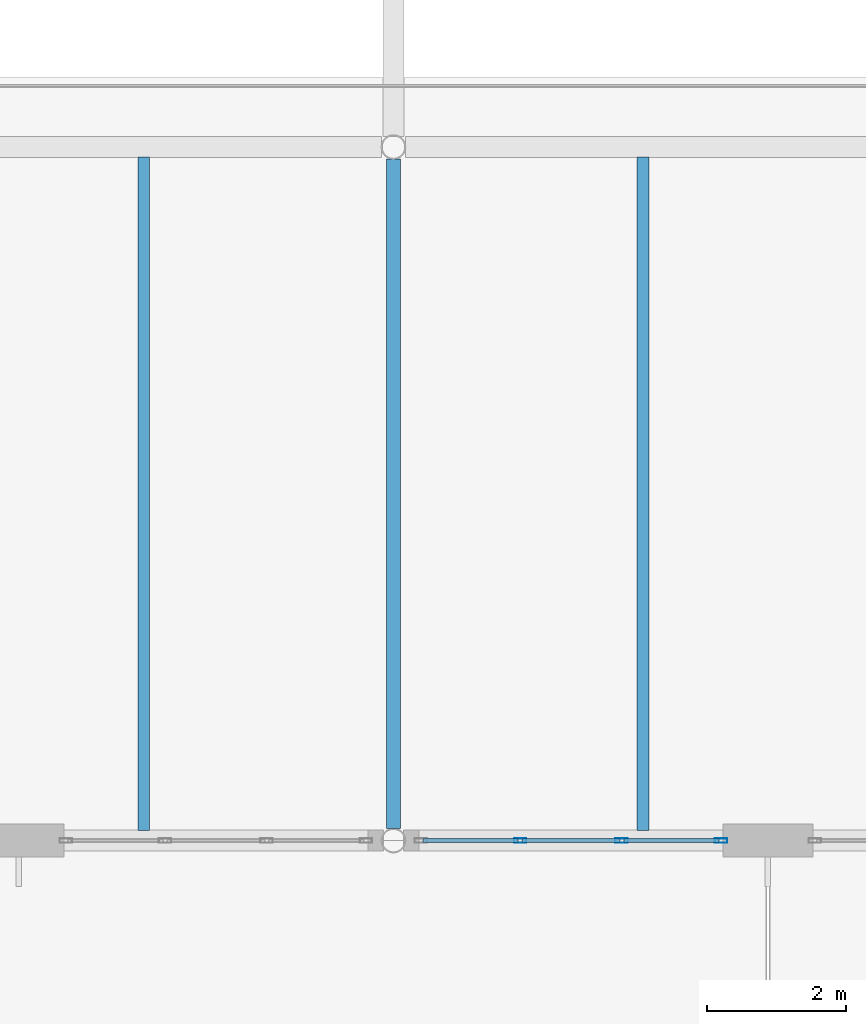
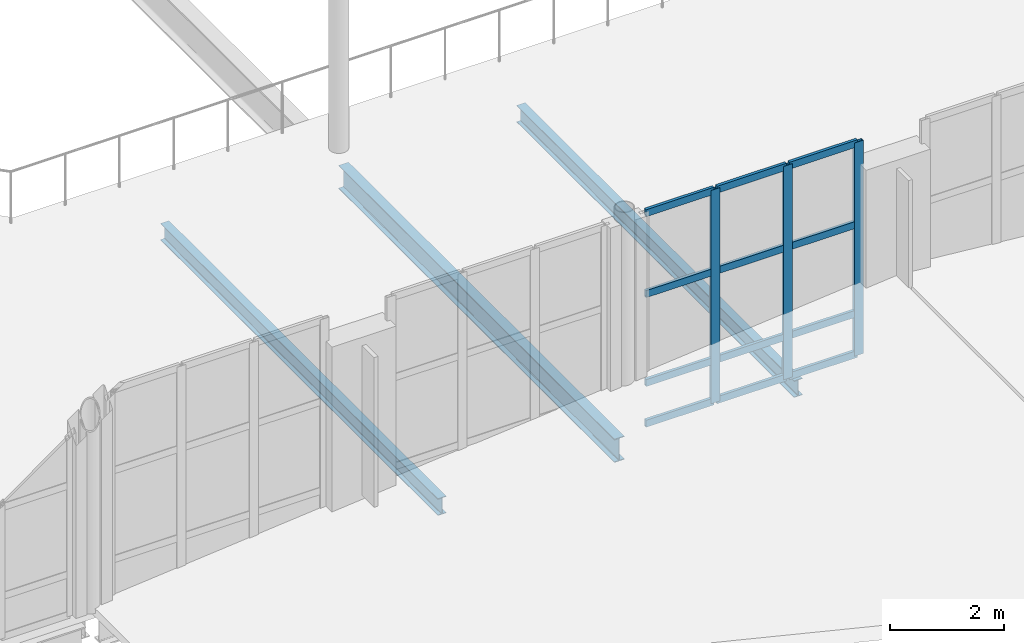
# One storey, part 32 of 92: 15 members, 3 beams, 1 element without a shape of its own.
"""IFC4 building model written with IfcOpenShell, lengths in metres."""

from ifc_helpers import new_model, si_unit, direction, frame, origin, origin_2d, place, context, subcontext, project, spatial, hollow_rectangle, i_section, extrude, material, layer, layer_set, material_profile, profile_set, type_object, element, aggregate, save


model = new_model("IFC4")

# Units and contexts
model_context = context("Model", 3, precision=1e-05, world=origin(), true_north=direction((0.0, 1.0)))
body_context = subcontext(model_context, "Body", "Model", "MODEL_VIEW")
ifc_project = project(units=[si_unit("LENGTHUNIT", "METRE"), si_unit("AREAUNIT", "SQUARE_METRE"), si_unit("VOLUMEUNIT", "CUBIC_METRE"), si_unit("PLANEANGLEUNIT", "RADIAN"), si_unit("MASSUNIT", "GRAM", prefix="KILO")], contexts=[model_context])

# Site, building, storey
site_placement = place(None, origin())
site = spatial("IfcSite", under=ifc_project, at=site_placement, CompositionType="ELEMENT")
building_placement = place(site_placement, origin())
building = spatial("IfcBuilding", under=site, at=building_placement, Name="Tasgan Crest Museum", CompositionType="ELEMENT")
storey_placement = place(building_placement, frame((0.0, 0.0, 4.800048828125)))
storey = spatial("IfcBuildingStorey", under=building, at=storey_placement, Name="L01", CompositionType="ELEMENT", Elevation=4.800048828125)

# Beams
ifc_material_1 = material(Name="Steel S355J2", Category="steel")
ifc_material_profile_1 = material_profile(ifc_material_1, i_section(OverallWidth=0.199951171875, OverallDepth=0.5, WebThickness=0.01025390625, FlangeThickness=0.01611328125, FilletRadius=0.02099609375, at=origin_2d()), Name="IPE 500")
ifc_profile_set_1 = profile_set([ifc_material_profile_1], Name="Steel S355J2")
beam_type_1 = type_object("IfcBeamType", Name="BM-G-IPE500", PredefinedType="BEAM", material=ifc_profile_set_1)
beam_placement = place(storey_placement, frame((75.60009765625, 40.1728515625, -0.489990234375), z_axis=(0.0, 1.0, 0.0), x_axis=(-1.0, 0.0, 0.0)))
element("IfcBeam", 1, at=beam_placement, inside=storey, type_object=beam_type_1, Name="Beam L01 8 40.0-50.0", PredefinedType="BEAM", context=body_context, shape_type="SweptSolid", body=[
    extrude(i_section(OverallWidth=0.199951171875, OverallDepth=0.5, WebThickness=0.01025390625, FlangeThickness=0.01611328125, FilletRadius=0.02099609375, at=origin_2d()), origin(), (0.0, 0.0, 1.0), 9.654296875),
])
ifc_material_2 = material(Name="Steel S355J2", Category="steel")
ifc_material_profile_2 = material_profile(ifc_material_2, i_section(OverallWidth=0.169921875, OverallDepth=0.360107421875, WebThickness=0.008056640625, FlangeThickness=0.0126953125, FilletRadius=0.01806640625, at=origin_2d()), Name="IPE 360")
ifc_profile_set_2 = profile_set([ifc_material_profile_2], Name="Steel S355J2")
beam_type_2 = type_object("IfcBeamType", Name="BM-J-IPE360", PredefinedType="JOIST", material=ifc_profile_set_2)
for number, where, z_axis, x_axis, name in (
    (2, (72.0, 40.14501953125, -0.420166015625), (0.0, 1.0, 0.0), (-1.0, 0.0, 0.0), "Secondary joist L01 X=72.0 Y=40.0-50.0"),
    (3, (79.199951171875, 40.14501953125, -0.420166015625), (0.0, 1.0, 0.0), (-1.0, 0.0, 0.0), "Secondary joist L01 X=79.2 Y=40.0-50.0"),
):
    element("IfcBeam", number, at=place(storey_placement, frame(where, z_axis=z_axis, x_axis=x_axis)), inside=storey, type_object=beam_type_2, Name=name, PredefinedType="JOIST", context=body_context, shape_type="SweptSolid", body=[
        extrude(i_section(OverallWidth=0.169921875, OverallDepth=0.360107421875, WebThickness=0.008056640625, FlangeThickness=0.0126953125, FilletRadius=0.01806640625, at=origin_2d()), origin(), (0.0, 0.0, 1.0), 9.7099609375),
    ])

# Curtain wall, members
ifc_material_3 = material(Name="Triple-Glazed Aluminium Curtain Wall", Category="aluminium")
ifc_layer = layer(ifc_material_3, 0.179931640625, Name="CW-DRUM-X-48")
ifc_layer_set = layer_set([ifc_layer], Name="Triple-Glazed Aluminium Curtain Wall")
curtain_wall_type = type_object("IfcCurtainWallType", Name="CW-DRUM-X-48", PredefinedType="NOTDEFINED", material=ifc_layer_set)
curtain_wall_placement = place(storey_placement, origin())
curtain_wall = element("IfcCurtainWall", 4, at=curtain_wall_placement, inside=storey, type_object=curtain_wall_type, Name="Curtain wall L01 031", PredefinedType="NOTDEFINED")
ifc_material_4 = material(Name="Anodised Aluminium", Category="aluminium")
ifc_material_profile_3 = material_profile(ifc_material_4, hollow_rectangle(XDim=0.06494140625, YDim=0.179931640625, WallThickness=0.0048828125, at=origin_2d()), Name="ALU MULLION 180x65x5")
ifc_profile_set_3 = profile_set([ifc_material_profile_3], Name="Anodised Aluminium")
member_type_1 = type_object("IfcMemberType", Name="CW-MULLION-180", PredefinedType="MULLION", material=ifc_profile_set_3)
member_1_placement = place(storey_placement, frame((77.42822265625, 40.0, 0.0), z_axis=(0.0, 0.0, 1.0), x_axis=(0.0, 1.0, 0.0)))
member_1 = element("IfcMember", 5, at=member_1_placement, type_object=member_type_1, Name="CW03 mullion 2", PredefinedType="MULLION", context=body_context, shape_type="SweptSolid", body=[
    extrude(hollow_rectangle(XDim=0.06494140625, YDim=0.179931640625, WallThickness=0.0048828125, at=origin_2d()), origin(), (0.0, 0.0, 1.0), 4.56005859375),
])
member_2_placement = place(storey_placement, frame((78.8916015625, 40.0, 0.0), z_axis=(0.0, 0.0, 1.0), x_axis=(0.0, 1.0, 0.0)))
member_2 = element("IfcMember", 6, at=member_2_placement, type_object=member_type_1, Name="CW03 mullion 3", PredefinedType="MULLION", context=body_context, shape_type="SweptSolid", body=[
    extrude(hollow_rectangle(XDim=0.06494140625, YDim=0.179931640625, WallThickness=0.0048828125, at=origin_2d()), origin(), (0.0, 0.0, 1.0), 4.56005859375),
])
member_3_placement = place(storey_placement, frame((80.324951171875, 40.0, 0.0), z_axis=(0.0, 0.0, 1.0), x_axis=(0.0, 1.0, 0.0)))
member_3 = element("IfcMember", 7, at=member_3_placement, type_object=member_type_1, Name="CW03 mullion 4", PredefinedType="MULLION", context=body_context, shape_type="SweptSolid", body=[
    extrude(hollow_rectangle(XDim=0.06494140625, YDim=0.179931640625, WallThickness=0.0048828125, at=origin_2d()), origin(), (0.0, 0.0, 1.0), 4.56005859375),
])
ifc_material_5 = material(Name="Anodised Aluminium", Category="aluminium")
ifc_material_profile_4 = material_profile(ifc_material_5, hollow_rectangle(XDim=0.06005859375, YDim=0.14990234375, WallThickness=0.0048828125, at=origin_2d()), Name="ALU TRANSOM 150x60x5")
ifc_profile_set_4 = profile_set([ifc_material_profile_4], Name="Anodised Aluminium")
member_type_2 = type_object("IfcMemberType", Name="CW-TRANSOM-150", PredefinedType="USERDEFINED", material=ifc_profile_set_4)
member_4_placement = place(storey_placement, frame((76.02490234375, 40.0, 0.030029296875), z_axis=(1.0, 0.0, 0.0), x_axis=(0.0, 1.0, 0.0)))
member_4 = element("IfcMember", 8, at=member_4_placement, type_object=member_type_2, Name="CW03 transom 1.1", ObjectType="TRANSOM", PredefinedType="USERDEFINED", context=body_context, shape_type="SweptSolid", body=[
    extrude(hollow_rectangle(XDim=0.06005859375, YDim=0.14990234375, WallThickness=0.0048828125, at=origin_2d()), origin(), (0.0, 0.0, 1.0), 1.37353515625),
])
member_5_placement = place(storey_placement, frame((76.02490234375, 40.0, 0.89990234375), z_axis=(1.0, 0.0, 0.0), x_axis=(0.0, 1.0, 0.0)))
member_5 = element("IfcMember", 9, at=member_5_placement, type_object=member_type_2, Name="CW03 transom 1.2", ObjectType="TRANSOM", PredefinedType="USERDEFINED", context=body_context, shape_type="SweptSolid", body=[
    extrude(hollow_rectangle(XDim=0.06005859375, YDim=0.14990234375, WallThickness=0.0048828125, at=origin_2d()), origin(), (0.0, 0.0, 1.0), 1.37353515625),
])
member_6_placement = place(storey_placement, frame((76.02490234375, 40.0, 2.800048828125), z_axis=(1.0, 0.0, 0.0), x_axis=(0.0, 1.0, 0.0)))
member_6 = element("IfcMember", 10, at=member_6_placement, type_object=member_type_2, Name="CW03 transom 1.3", ObjectType="TRANSOM", PredefinedType="USERDEFINED", context=body_context, shape_type="SweptSolid", body=[
    extrude(hollow_rectangle(XDim=0.06005859375, YDim=0.14990234375, WallThickness=0.0048828125, at=origin_2d()), origin(), (0.0, 0.0, 1.0), 1.37353515625),
])
member_7_placement = place(storey_placement, frame((76.02490234375, 40.0, 4.530029296875), z_axis=(1.0, 0.0, 0.0), x_axis=(0.0, 1.0, 0.0)))
member_7 = element("IfcMember", 11, at=member_7_placement, type_object=member_type_2, Name="CW03 transom 1.4", ObjectType="TRANSOM", PredefinedType="USERDEFINED", context=body_context, shape_type="SweptSolid", body=[
    extrude(hollow_rectangle(XDim=0.06005859375, YDim=0.14990234375, WallThickness=0.0048828125, at=origin_2d()), origin(), (0.0, 0.0, 1.0), 1.37353515625),
])
member_8_placement = place(storey_placement, frame((77.458251953125, 40.0, 0.030029296875), z_axis=(1.0, 0.0, 0.0), x_axis=(0.0, 1.0, 0.0)))
member_8 = element("IfcMember", 12, at=member_8_placement, type_object=member_type_2, Name="CW03 transom 2.1", ObjectType="TRANSOM", PredefinedType="USERDEFINED", context=body_context, shape_type="SweptSolid", body=[
    extrude(hollow_rectangle(XDim=0.06005859375, YDim=0.14990234375, WallThickness=0.0048828125, at=origin_2d()), origin(), (0.0, 0.0, 1.0), 1.4033203125),
])
member_9_placement = place(storey_placement, frame((77.458251953125, 40.0, 0.89990234375), z_axis=(1.0, 0.0, 0.0), x_axis=(0.0, 1.0, 0.0)))
member_9 = element("IfcMember", 13, at=member_9_placement, type_object=member_type_2, Name="CW03 transom 2.2", ObjectType="TRANSOM", PredefinedType="USERDEFINED", context=body_context, shape_type="SweptSolid", body=[
    extrude(hollow_rectangle(XDim=0.06005859375, YDim=0.14990234375, WallThickness=0.0048828125, at=origin_2d()), origin(), (0.0, 0.0, 1.0), 1.4033203125),
])
member_10_placement = place(storey_placement, frame((77.458251953125, 40.0, 2.800048828125), z_axis=(1.0, 0.0, 0.0), x_axis=(0.0, 1.0, 0.0)))
member_10 = element("IfcMember", 14, at=member_10_placement, type_object=member_type_2, Name="CW03 transom 2.3", ObjectType="TRANSOM", PredefinedType="USERDEFINED", context=body_context, shape_type="SweptSolid", body=[
    extrude(hollow_rectangle(XDim=0.06005859375, YDim=0.14990234375, WallThickness=0.0048828125, at=origin_2d()), origin(), (0.0, 0.0, 1.0), 1.4033203125),
])
member_11_placement = place(storey_placement, frame((77.458251953125, 40.0, 4.530029296875), z_axis=(1.0, 0.0, 0.0), x_axis=(0.0, 1.0, 0.0)))
member_11 = element("IfcMember", 15, at=member_11_placement, type_object=member_type_2, Name="CW03 transom 2.4", ObjectType="TRANSOM", PredefinedType="USERDEFINED", context=body_context, shape_type="SweptSolid", body=[
    extrude(hollow_rectangle(XDim=0.06005859375, YDim=0.14990234375, WallThickness=0.0048828125, at=origin_2d()), origin(), (0.0, 0.0, 1.0), 1.4033203125),
])
member_12_placement = place(storey_placement, frame((78.921630859375, 40.0, 0.030029296875), z_axis=(1.0, 0.0, 0.0), x_axis=(0.0, 1.0, 0.0)))
member_12 = element("IfcMember", 16, at=member_12_placement, type_object=member_type_2, Name="CW03 transom 3.1", ObjectType="TRANSOM", PredefinedType="USERDEFINED", context=body_context, shape_type="SweptSolid", body=[
    extrude(hollow_rectangle(XDim=0.06005859375, YDim=0.14990234375, WallThickness=0.0048828125, at=origin_2d()), origin(), (0.0, 0.0, 1.0), 1.373291015625),
])
member_13_placement = place(storey_placement, frame((78.921630859375, 40.0, 0.89990234375), z_axis=(1.0, 0.0, 0.0), x_axis=(0.0, 1.0, 0.0)))
member_13 = element("IfcMember", 17, at=member_13_placement, type_object=member_type_2, Name="CW03 transom 3.2", ObjectType="TRANSOM", PredefinedType="USERDEFINED", context=body_context, shape_type="SweptSolid", body=[
    extrude(hollow_rectangle(XDim=0.06005859375, YDim=0.14990234375, WallThickness=0.0048828125, at=origin_2d()), origin(), (0.0, 0.0, 1.0), 1.373291015625),
])
member_14_placement = place(storey_placement, frame((78.921630859375, 40.0, 2.800048828125), z_axis=(1.0, 0.0, 0.0), x_axis=(0.0, 1.0, 0.0)))
member_14 = element("IfcMember", 18, at=member_14_placement, type_object=member_type_2, Name="CW03 transom 3.3", ObjectType="TRANSOM", PredefinedType="USERDEFINED", context=body_context, shape_type="SweptSolid", body=[
    extrude(hollow_rectangle(XDim=0.06005859375, YDim=0.14990234375, WallThickness=0.0048828125, at=origin_2d()), origin(), (0.0, 0.0, 1.0), 1.373291015625),
])
member_15_placement = place(storey_placement, frame((78.921630859375, 40.0, 4.530029296875), z_axis=(1.0, 0.0, 0.0), x_axis=(0.0, 1.0, 0.0)))
member_15 = element("IfcMember", 19, at=member_15_placement, type_object=member_type_2, Name="CW03 transom 3.4", ObjectType="TRANSOM", PredefinedType="USERDEFINED", context=body_context, shape_type="SweptSolid", body=[
    extrude(hollow_rectangle(XDim=0.06005859375, YDim=0.14990234375, WallThickness=0.0048828125, at=origin_2d()), origin(), (0.0, 0.0, 1.0), 1.373291015625),
])
aggregate(curtain_wall, [member_1, member_2, member_3, member_4, member_5, member_6, member_7, member_8, member_9, member_10, member_11, member_12, member_13, member_14, member_15])

save(model, "model.ifc")
